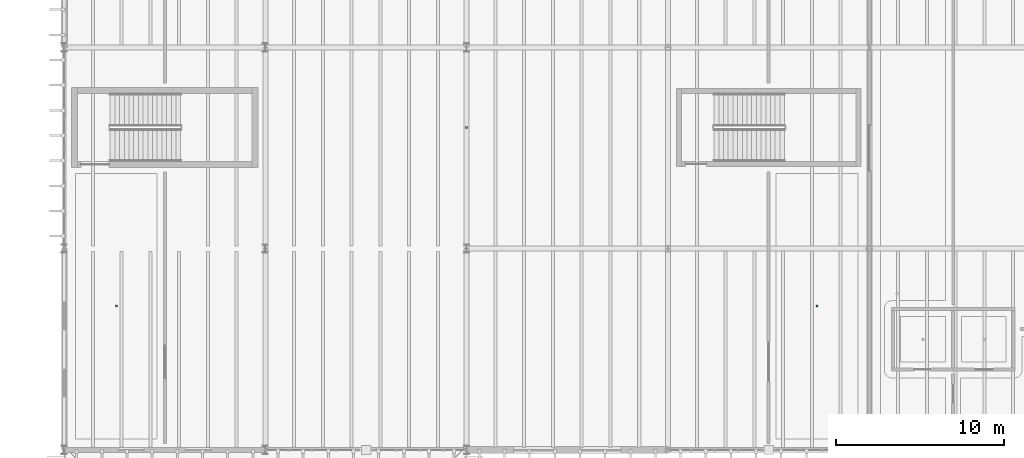
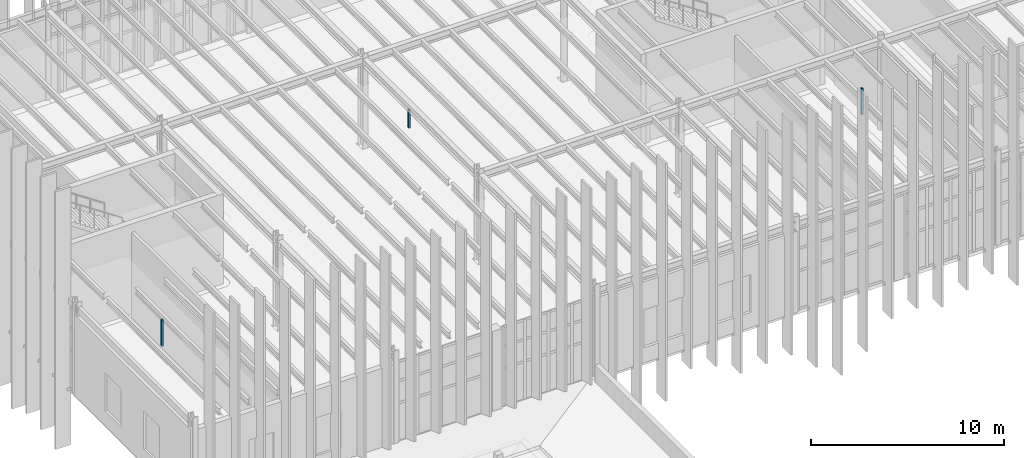
# One storey, part 52 of 83: 3 discrete accessories.
"""IFC4 building model written with IfcOpenShell, lengths in metres."""

from ifc_helpers import new_model, si_unit, direction, frame, origin, origin_2d, place, context, subcontext, project, spatial, rectangle, extrude, material, type_object, element, save


model = new_model("IFC4")

# Units and contexts
model_context = context("Model", 3, precision=1e-05, world=origin(), true_north=direction((0.0, 1.0)))
body_context = subcontext(model_context, "Body", "Model", "MODEL_VIEW")
ifc_project = project(units=[si_unit("LENGTHUNIT", "METRE"), si_unit("AREAUNIT", "SQUARE_METRE"), si_unit("VOLUMEUNIT", "CUBIC_METRE"), si_unit("PLANEANGLEUNIT", "RADIAN"), si_unit("MASSUNIT", "GRAM", prefix="KILO")], contexts=[model_context])

# Site, building, storey
site_placement = place(None, origin())
site = spatial("IfcSite", under=ifc_project, at=site_placement, CompositionType="ELEMENT")
building_placement = place(site_placement, origin())
building = spatial("IfcBuilding", under=site, at=building_placement, Name="Zlatogorsky Bluff Art Gallery", CompositionType="ELEMENT")
storey_placement = place(building_placement, frame((0.0, 0.0, 10.800048828125)))
storey = spatial("IfcBuildingStorey", under=building, at=storey_placement, Name="L02", CompositionType="ELEMENT", Elevation=10.800048828125)

# Discrete accessories
ifc_material = material(Name="Steel S355", Category="steel")
discrete_accessory_type = type_object("IfcDiscreteAccessoryType", Name="Stainless Facade Fin Bracket BRK-01", PredefinedType="BRACKET", material=ifc_material)
discrete_accessory_1_placement = place(storey_placement, frame((3.110107421875, 92.580078125, 4.05517578125), z_axis=(0.0, 0.0, 1.0), x_axis=(1.0, 0.0, 0.0)))
element("IfcDiscreteAccessory", 1, at=discrete_accessory_1_placement, inside=storey, type_object=discrete_accessory_type, Name="Acoustic ceiling suspension hanger L02-G1-11", PredefinedType="BRACKET", context=body_context, shape_type="SweptSolid", body=[
    extrude(rectangle(XDim=0.1201171875, YDim=0.1201171875, at=origin_2d()), origin(), (0.0, 0.0, 1.0), 1.659912109375),
])
discrete_accessory_2_placement = place(storey_placement, frame((24.0, 103.22509765625, 4.054931640625), z_axis=(0.0, 0.0, 1.0), x_axis=(1.0, 0.0, 0.0)))
element("IfcDiscreteAccessory", 2, at=discrete_accessory_2_placement, inside=storey, type_object=discrete_accessory_type, Name="Acoustic ceiling suspension hanger L02-G1-12", PredefinedType="BRACKET", context=body_context, shape_type="SweptSolid", body=[
    extrude(rectangle(XDim=0.1201171875, YDim=0.1201171875, at=origin_2d()), origin(), (0.0, 0.0, 1.0), 1.169921875),
])
discrete_accessory_3_placement = place(storey_placement, frame((44.889892578125, 92.580078125, 4.05517578125), z_axis=(0.0, 0.0, 1.0), x_axis=(1.0, 0.0, 0.0)))
element("IfcDiscreteAccessory", 3, at=discrete_accessory_3_placement, inside=storey, type_object=discrete_accessory_type, Name="Acoustic ceiling suspension hanger L02-G1-13", PredefinedType="BRACKET", context=body_context, shape_type="SweptSolid", body=[
    extrude(rectangle(XDim=0.1201171875, YDim=0.1201171875, at=origin_2d()), origin(), (0.0, 0.0, 1.0), 1.659912109375),
])

save(model, "model.ifc")
